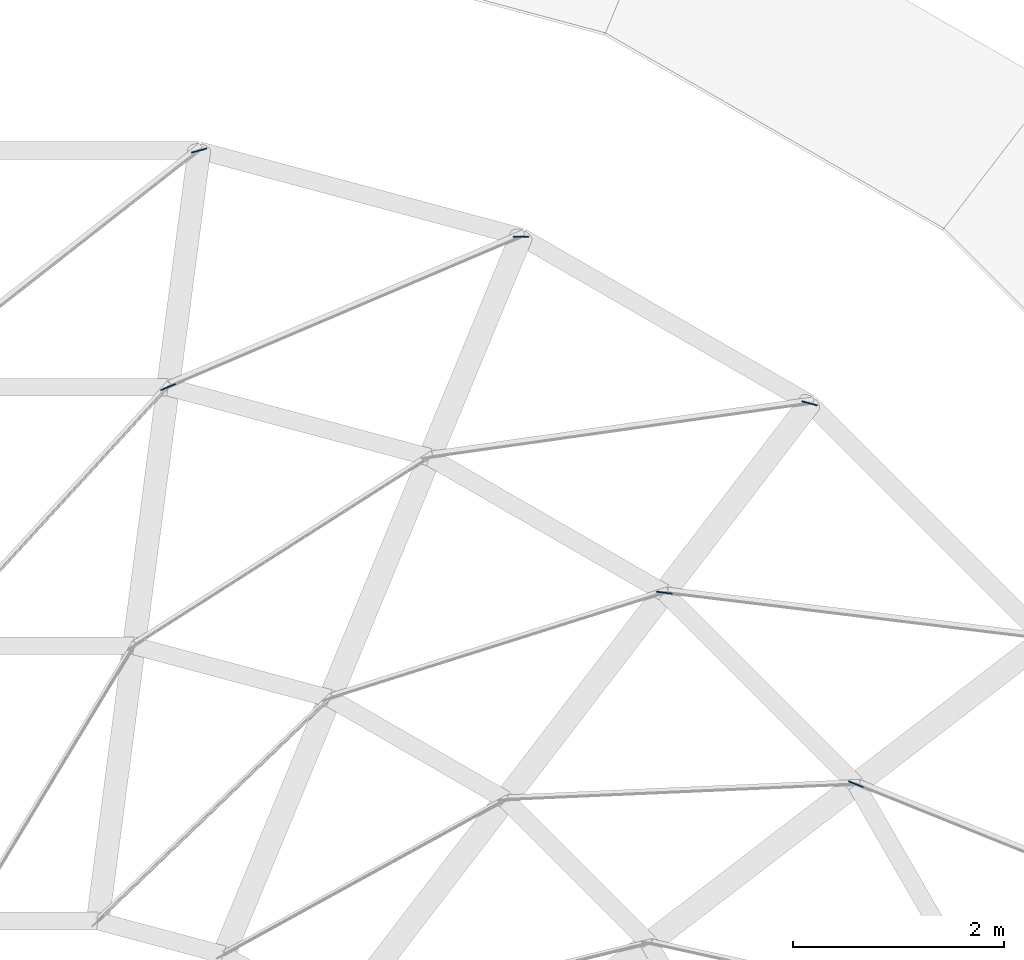
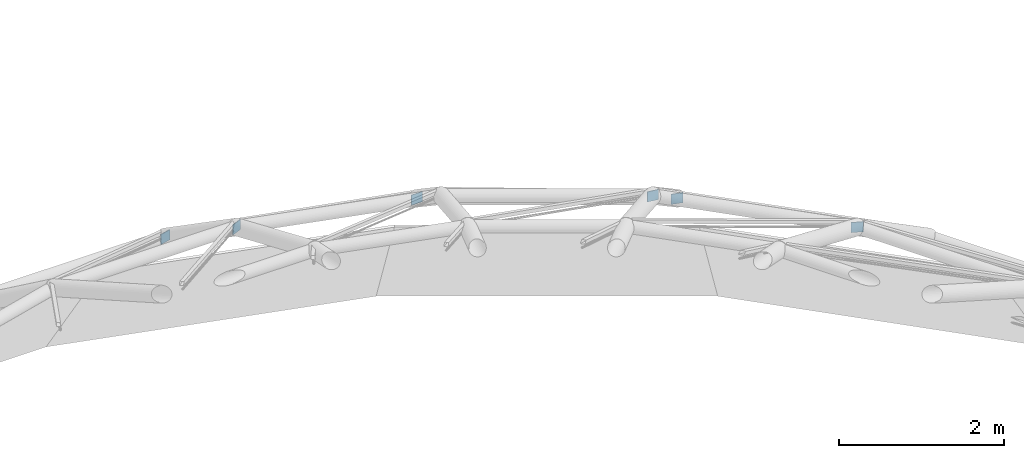
# One storey, part 26 of 33: 6 discrete accessories.
"""IFC4 building model written with IfcOpenShell, lengths in metres."""

from ifc_helpers import new_model, si_unit, direction, frame, origin, origin_2d, place, context, subcontext, project, spatial, rectangle, extrude, material, type_object, element, save


model = new_model("IFC4")

# Units and contexts
model_context = context("Model", 3, precision=1e-05, world=origin(), true_north=direction((0.0, 1.0)))
body_context = subcontext(model_context, "Body", "Model", "MODEL_VIEW")
ifc_project = project(units=[si_unit("LENGTHUNIT", "METRE"), si_unit("AREAUNIT", "SQUARE_METRE"), si_unit("VOLUMEUNIT", "CUBIC_METRE"), si_unit("PLANEANGLEUNIT", "RADIAN"), si_unit("MASSUNIT", "GRAM", prefix="KILO")], contexts=[model_context])

# Site, building, storey
site_placement = place(None, origin())
site = spatial("IfcSite", under=ifc_project, at=site_placement, CompositionType="ELEMENT")
building_placement = place(site_placement, origin())
building = spatial("IfcBuilding", under=site, at=building_placement, Name="Hortulan Conservatory and Botanical Research Centre", CompositionType="ELEMENT")
storey_placement = place(building_placement, frame((0.0, 0.0, 19.199951171875)))
storey = spatial("IfcBuildingStorey", under=building, at=storey_placement, Name="L04", CompositionType="ELEMENT", Elevation=19.199951171875)

# Discrete accessories
ifc_material = material(Name="Steel Grade 300 plate (AS/NZS 3678, 280 MPa minimum yield)", Category="steel")
discrete_accessory_type = type_object("IfcDiscreteAccessoryType", Name="End Plate 150x10", PredefinedType="BRACKET", material=ifc_material)
for number, where, z_axis, x_axis, name in (
    (1, (55.2841796875, 27.753662109375, 1.972900390625), (0.0, 0.0, 1.0), (0.920026798459, 0.391855445435, 0.0), "Dome rod end plate"),
    (2, (55.579345703125, 29.99658203125, 0.361572265625), (0.0, 0.0, 1.0), (0.965313317604, 0.26109423367, 0.0), "Dome rod end plate"),
    (3, (58.630615234375, 29.178955078125, 0.361572265625), (0.0, 0.0, 1.0), (0.999997182899, 0.002373645554, 0.0), "Dome rod end plate"),
    (4, (59.989013671875, 25.804931640625, 1.972900390625), (0.0, 0.0, 1.0), (0.992692196339, -0.120673954637, 0.0), "Dome rod end plate"),
    (5, (61.365966796875, 27.599609375, 0.361572265625), (0.0, 0.0, 1.0), (0.966532972492, -0.256542419662, 0.0), "Dome rod end plate"),
    (6, (61.804931640625, 23.989013671875, 1.972900390625), (0.0, 0.0, 1.0), (0.927640830776, -0.373473545352, 0.0), "Dome rod end plate"),
):
    element("IfcDiscreteAccessory", number, at=place(storey_placement, frame(where, z_axis=z_axis, x_axis=x_axis)), inside=storey, type_object=discrete_accessory_type, Name=name, PredefinedType="BRACKET", context=body_context, shape_type="SweptSolid", body=[
        extrude(rectangle(XDim=0.14990234375, YDim=0.010009765625, at=origin_2d()), origin(), (0.0, 0.0, 1.0), 0.14990234375),
    ])

save(model, "model.ifc")
